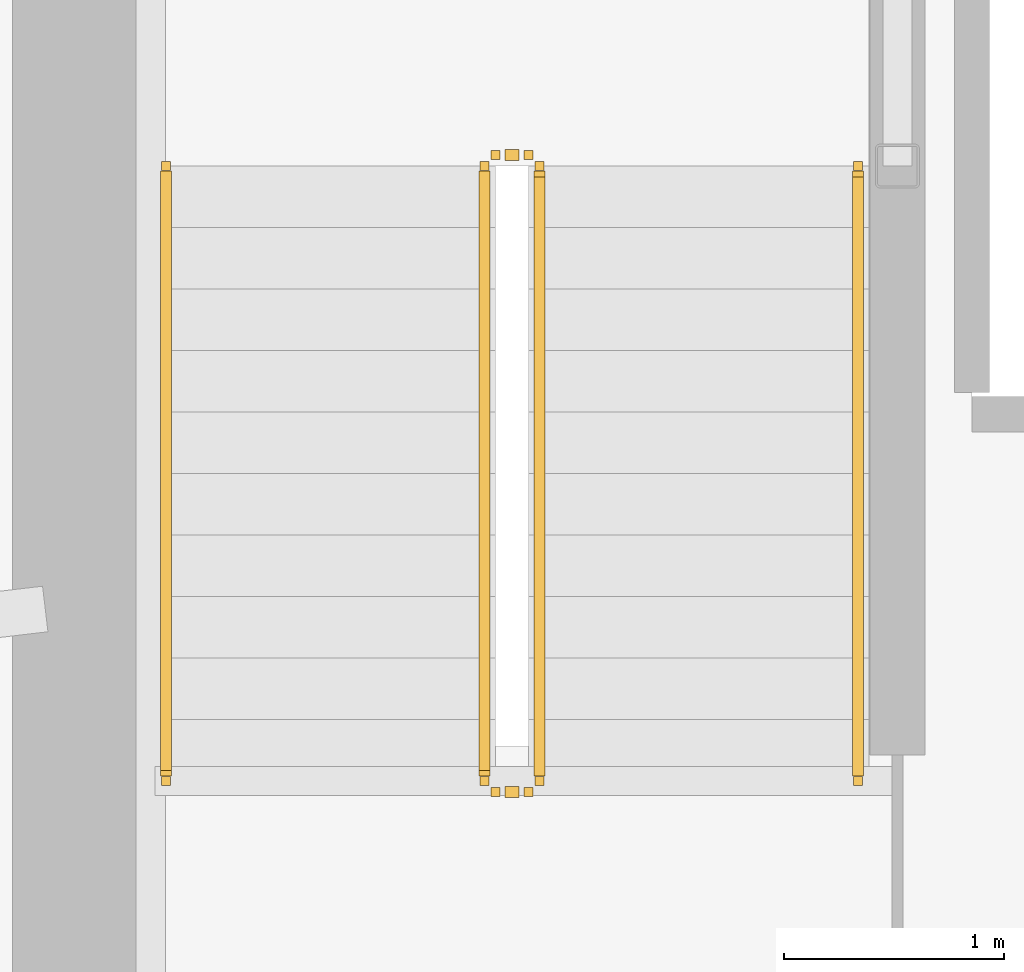
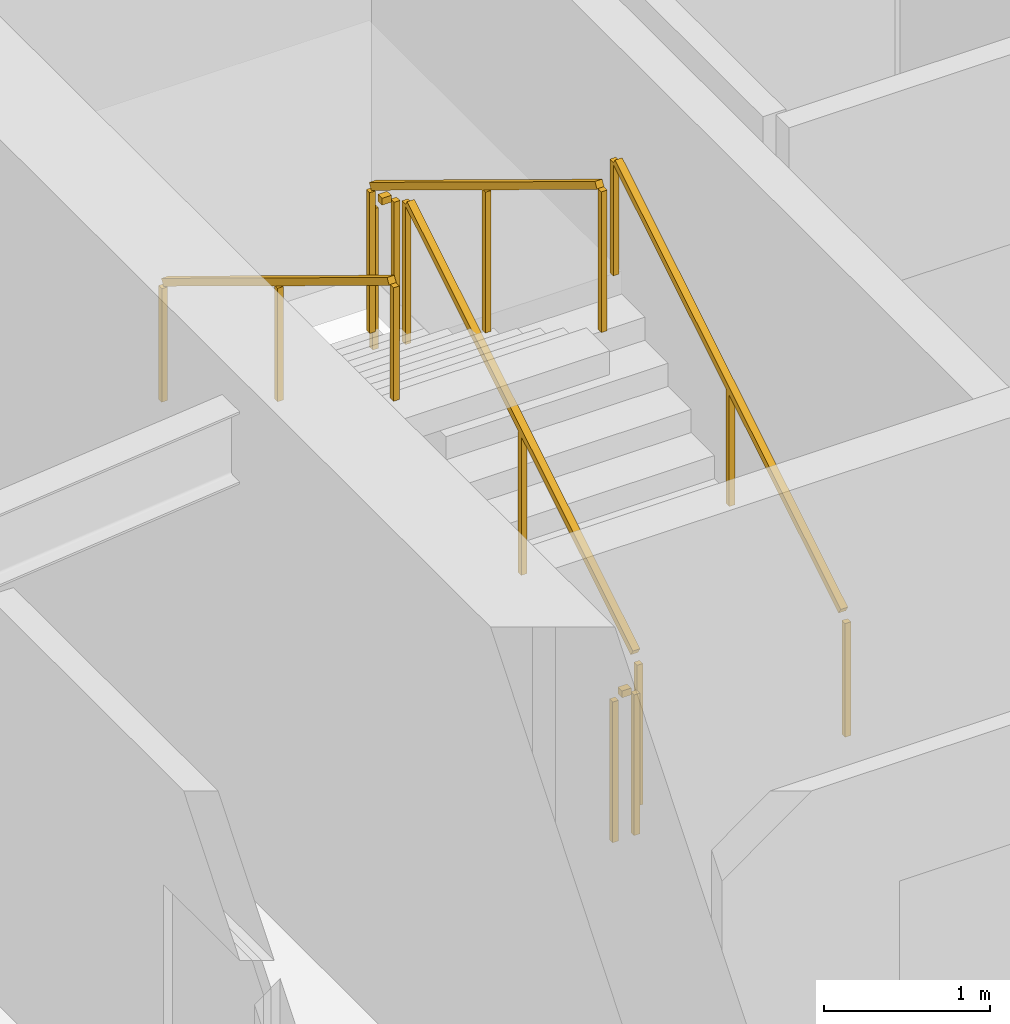
# One storey, part 17 of 20: 6 railings.
"""IFC4 building model written with IfcOpenShell, lengths in metres."""

from ifc_helpers import new_model, si_unit, direction, frame, origin, origin_2d, place, context, subcontext, project, spatial, rectangle, extrude, material, type_object, element, save


model = new_model("IFC4")

# Units and contexts
model_context = context("Model", 3, precision=1e-05, world=origin(), true_north=direction((0.0, 1.0)))
body_context = subcontext(model_context, "Body", "Model", "MODEL_VIEW")
ifc_project = project(units=[si_unit("LENGTHUNIT", "METRE"), si_unit("AREAUNIT", "SQUARE_METRE"), si_unit("VOLUMEUNIT", "CUBIC_METRE"), si_unit("PLANEANGLEUNIT", "RADIAN"), si_unit("MASSUNIT", "GRAM", prefix="KILO")], contexts=[model_context])

# Site, building, storey
site_placement = place(None, origin())
site = spatial("IfcSite", under=ifc_project, at=site_placement, CompositionType="ELEMENT")
building_placement = place(site_placement, origin())
building = spatial("IfcBuilding", under=site, at=building_placement, Name="Kazma Halo Residences", CompositionType="ELEMENT")
storey_placement = place(building_placement, frame((0.0, 0.0, 210.300048828125)))
storey = spatial("IfcBuildingStorey", under=building, at=storey_placement, Name="L53", CompositionType="ELEMENT", Elevation=210.300048828125)

# Railings
ifc_material_1 = material(Name="Painted Steel S355", Category="steel")
railing_type_1 = type_object("IfcRailingType", Name="RLG-STAIR-GRD-1100", PredefinedType="GUARDRAIL", material=ifc_material_1)
railing_1_placement = place(storey_placement, frame((39.550048828125, 39.949951171875, 0.17041015625)))
element("IfcRailing", 1, at=railing_1_placement, inside=storey, type_object=railing_type_1, Name="L53 ST-01 stair guard 1", PredefinedType="GUARDRAIL", context=body_context, shape_type="SweptSolid", body=[
    extrude(rectangle(XDim=0.050048828125, YDim=0.050048828125, at=origin_2d()), frame((0.0, 0.036376953125, 1.09716796875), z_axis=(0.0, 0.854169791009, 0.51999420009), x_axis=(-1.0, 0.0, 0.0)), (0.0, 0.0, 1.0), 3.193115234375),
    extrude(rectangle(XDim=0.0400390625, YDim=0.0400390625, at=origin_2d()), origin(), (0.0, 0.0, 1.0), 1.0380859375),
    extrude(rectangle(XDim=0.0400390625, YDim=0.0400390625, at=origin_2d()), frame((0.0, 1.39990234375, 0.852294921875)), (0.0, 0.0, 1.0), 1.0380859375),
    extrude(rectangle(XDim=0.0400390625, YDim=0.0400390625, at=origin_2d()), frame((0.0, 2.800048828125, 1.70458984375)), (0.0, 0.0, 1.0), 1.0380859375),
])
railing_2_placement = place(storey_placement, frame((39.5, 42.800048828125, 1.875)))
element("IfcRailing", 2, at=railing_2_placement, inside=storey, type_object=railing_type_1, Name="L53 ST-01 stair guard 2", PredefinedType="GUARDRAIL", context=body_context, shape_type="SweptSolid", body=[
    extrude(rectangle(XDim=0.050048828125, YDim=0.050048828125, at=origin_2d()), frame((-0.04248046875, 0.0, 1.0751953125), z_axis=(-1.0, 0.0, 0.0), x_axis=(0.0, -1.0, 0.0)), (0.0, 0.0, 1.0), 0.06494140625),
    extrude(rectangle(XDim=0.0400390625, YDim=0.0400390625, at=origin_2d()), origin(), (0.0, 0.0, 1.0), 1.0380859375),
    extrude(rectangle(XDim=0.0400390625, YDim=0.0400390625, at=origin_2d()), frame((-0.14990234375, 0.0, 0.0)), (0.0, 0.0, 1.0), 1.0380859375),
])
railing_3_placement = place(storey_placement, frame((39.300048828125, 42.75, 2.04541015625)))
element("IfcRailing", 3, at=railing_3_placement, inside=storey, type_object=railing_type_1, Name="L53 ST-01 stair guard 3", PredefinedType="GUARDRAIL", context=body_context, shape_type="SweptSolid", body=[
    extrude(rectangle(XDim=0.050048828125, YDim=0.050048828125, at=origin_2d()), frame((0.0, -0.036376953125, 1.09716796875), z_axis=(0.0, -0.854169791009, 0.51999420009), x_axis=(1.0, 0.0, 0.0)), (0.0, 0.0, 1.0), 3.193115234375),
    extrude(rectangle(XDim=0.0400390625, YDim=0.0400390625, at=origin_2d()), origin(), (0.0, 0.0, 1.0), 1.0380859375),
    extrude(rectangle(XDim=0.0400390625, YDim=0.0400390625, at=origin_2d()), frame((0.0, -1.39990234375, 0.852294921875)), (0.0, 0.0, 1.0), 1.0380859375),
    extrude(rectangle(XDim=0.0400390625, YDim=0.0400390625, at=origin_2d()), frame((0.0, -2.800048828125, 1.70458984375)), (0.0, 0.0, 1.0), 1.0380859375),
])
railing_4_placement = place(storey_placement, frame((39.5, 39.89990234375, 0.0)))
element("IfcRailing", 4, at=railing_4_placement, inside=storey, type_object=railing_type_1, Name="L53 ST-01 stair guard 4", PredefinedType="GUARDRAIL", context=body_context, shape_type="SweptSolid", body=[
    extrude(rectangle(XDim=0.050048828125, YDim=0.050048828125, at=origin_2d()), frame((-0.04248046875, 0.0, 1.0751953125), z_axis=(-1.0, 0.0, 0.0), x_axis=(0.0, -1.0, 0.0)), (0.0, 0.0, 1.0), 0.06494140625),
    extrude(rectangle(XDim=0.0400390625, YDim=0.0400390625, at=origin_2d()), origin(), (0.0, 0.0, 1.0), 1.0380859375),
    extrude(rectangle(XDim=0.0400390625, YDim=0.0400390625, at=origin_2d()), frame((-0.14990234375, 0.0, 0.0)), (0.0, 0.0, 1.0), 1.0380859375),
])
ifc_material_2 = material(Name="Brushed Stainless Steel", Category="steel")
railing_type_2 = type_object("IfcRailingType", Name="RLG-STAIR-HND-900", PredefinedType="HANDRAIL", material=ifc_material_2)
railing_5_placement = place(storey_placement, frame((41.0, 39.949951171875, 0.17041015625)))
element("IfcRailing", 5, at=railing_5_placement, inside=storey, type_object=railing_type_2, Name="L53 ST-01 stair handrail 1", PredefinedType="HANDRAIL", context=body_context, shape_type="SweptSolid", body=[
    extrude(rectangle(XDim=0.050048828125, YDim=0.050048828125, at=origin_2d()), frame((0.0, 0.036376953125, 0.89697265625), z_axis=(0.0, 0.854169791009, 0.51999420009), x_axis=(-1.0, 0.0, 0.0)), (0.0, 0.0, 1.0), 3.193115234375),
    extrude(rectangle(XDim=0.0400390625, YDim=0.0400390625, at=origin_2d()), origin(), (0.0, 0.0, 1.0), 0.837890625),
    extrude(rectangle(XDim=0.0400390625, YDim=0.0400390625, at=origin_2d()), frame((0.0, 1.39990234375, 0.852294921875)), (0.0, 0.0, 1.0), 0.837890625),
    extrude(rectangle(XDim=0.0400390625, YDim=0.0400390625, at=origin_2d()), frame((0.0, 2.800048828125, 1.70458984375)), (0.0, 0.0, 1.0), 0.837890625),
])
railing_6_placement = place(storey_placement, frame((37.85009765625, 42.75, 2.04541015625)))
element("IfcRailing", 6, at=railing_6_placement, inside=storey, type_object=railing_type_2, Name="L53 ST-01 stair handrail 2", PredefinedType="HANDRAIL", context=body_context, shape_type="SweptSolid", body=[
    extrude(rectangle(XDim=0.050048828125, YDim=0.050048828125, at=origin_2d()), frame((0.0, -0.036376953125, 0.89697265625), z_axis=(0.0, -0.854169791009, 0.51999420009), x_axis=(1.0, 0.0, 0.0)), (0.0, 0.0, 1.0), 3.193115234375),
    extrude(rectangle(XDim=0.0400390625, YDim=0.0400390625, at=origin_2d()), origin(), (0.0, 0.0, 1.0), 0.837890625),
    extrude(rectangle(XDim=0.0400390625, YDim=0.0400390625, at=origin_2d()), frame((0.0, -1.39990234375, 0.852294921875)), (0.0, 0.0, 1.0), 0.837890625),
    extrude(rectangle(XDim=0.0400390625, YDim=0.0400390625, at=origin_2d()), frame((0.0, -2.800048828125, 1.70458984375)), (0.0, 0.0, 1.0), 0.837890625),
])

save(model, "model.ifc")
